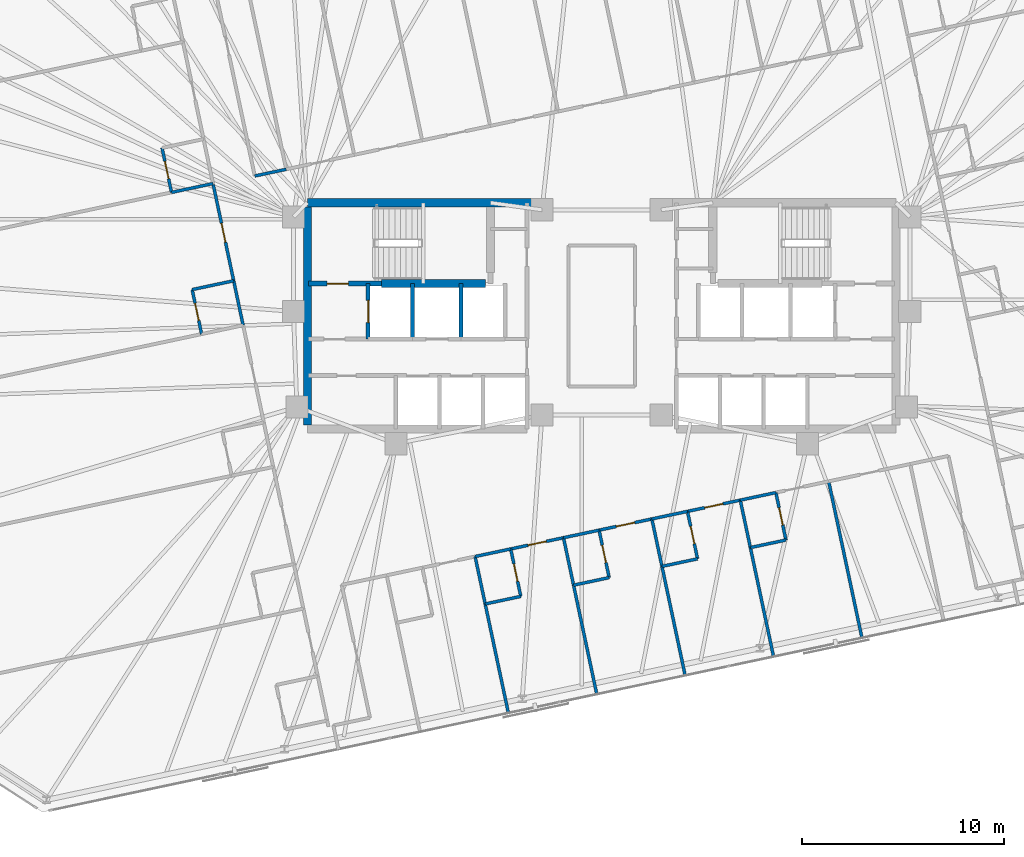
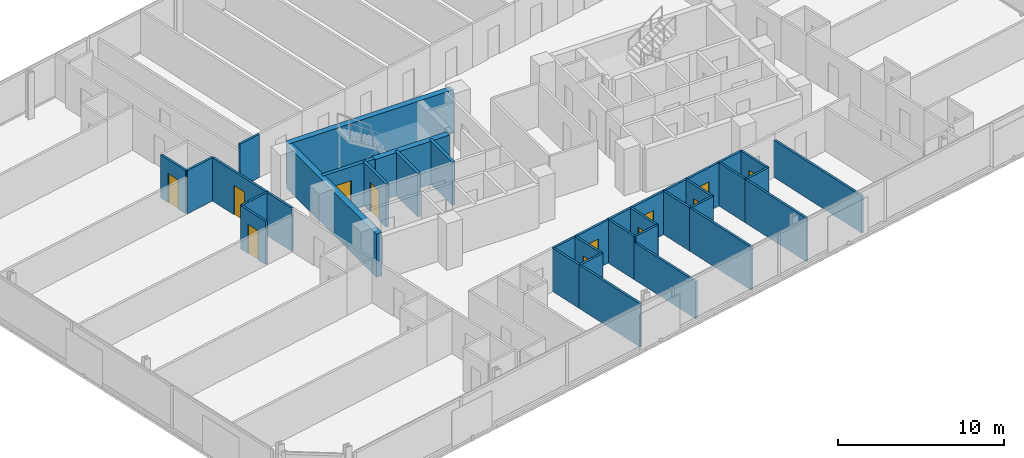
# One storey, part 15 of 21: 38 walls, 12 doors, 12 openings.
"""IFC4 building model written with IfcOpenShell, lengths in metres."""

from ifc_helpers import new_model, si_unit, direction, frame, frame_2d, origin, place, context, subcontext, project, spatial, rectangle, extrude, material, layer, layer_set, type_object, element, fill, save


model = new_model("IFC4")

# Units and contexts
model_context = context("Model", 3, precision=1e-05, world=origin(), true_north=direction((0.0, 1.0)))
body_context = subcontext(model_context, "Body", "Model", "MODEL_VIEW")
ifc_project = project(units=[si_unit("LENGTHUNIT", "METRE"), si_unit("AREAUNIT", "SQUARE_METRE"), si_unit("VOLUMEUNIT", "CUBIC_METRE"), si_unit("PLANEANGLEUNIT", "RADIAN"), si_unit("MASSUNIT", "GRAM", prefix="KILO")], contexts=[model_context])

# Site, building, storey
site_placement = place(None, origin())
site = spatial("IfcSite", under=ifc_project, at=site_placement, CompositionType="ELEMENT")
building_placement = place(site_placement, origin())
building = spatial("IfcBuilding", under=site, at=building_placement, Name="Menara Jurai Vektor", CompositionType="ELEMENT")
storey_placement = place(building_placement, frame((0.0, 0.0, 168.39990234375)))
storey = spatial("IfcBuildingStorey", under=building, at=storey_placement, Name="L43", CompositionType="ELEMENT", Elevation=168.39990234375)

# Wall, opening, door
ifc_material_1 = material(Name="Concrete C40/50", Category="concrete")
ifc_layer_1 = layer(ifc_material_1, 0.25)
ifc_layer_set_1 = layer_set([ifc_layer_1], Name="Concrete C40/50")
wall_type_1 = type_object("IfcWallType", Name="INT-WALL-CORE-250", PredefinedType="STANDARD", material=ifc_layer_set_1)
wall_1_placement = place(storey_placement, frame((-14.5, 1.60009765625, 0.0), z_axis=(0.0, 0.0, 1.0), x_axis=(1.0, 0.0, 0.0)))
wall_1 = element("IfcWall", 1, at=wall_1_placement, inside=storey, type_object=wall_type_1, Name="Interior Wall IW-250 L43", PredefinedType="STANDARD", context=body_context, shape_type="SweptSolid", body=[
    extrude(rectangle(XDim=3.60009765625, YDim=0.25, at=frame_2d((1.800048828125, 0.0))), origin(), (0.0, 0.0, 1.0), 3.175048828125),
])
opening_1_placement = place(wall_1_placement, frame((0.919921875, 0.0, 0.0)))
opening_1 = element("IfcOpeningElement", 2, at=opening_1_placement, cuts=wall_1, Name="Opening D-L43-ST1", PredefinedType="OPENING", context=body_context, shape_type="SweptSolid", body=[
    extrude(rectangle(XDim=1.050048828125, YDim=2.14990234375, at=frame_2d((0.52490234375, 1.074951171875))), frame((0.0, 0.135009765625, 0.0), z_axis=(0.0, -1.0, 0.0), x_axis=(1.0, 0.0, 0.0)), (0.0, 0.0, 1.0), 0.27001953125),
])
ifc_material_2 = material(Name="Fire-Rated Steel Door", Category="steel")
door_type_1 = type_object("IfcDoorType", Name="DR-STAIR-1050", OperationType="NOTDEFINED", PredefinedType="DOOR", material=ifc_material_2)
door_1_placement = place(opening_1_placement, origin())
door_1 = element("IfcDoor", 3, at=door_1_placement, inside=storey, type_object=door_type_1, Name="Exit Stair ST1 Door L43", OperationType="SINGLE_SWING_RIGHT", OverallHeight=2.14990234375, OverallWidth=1.050048828125, PredefinedType="DOOR", context=body_context, shape_type="SweptSolid", body=[
    extrude(rectangle(XDim=1.050048828125, YDim=2.14990234375, at=frame_2d((0.52490234375, 1.074951171875))), frame((0.0, 0.02490234375, 0.0), z_axis=(0.0, -1.0, 0.0), x_axis=(1.0, 0.0, 0.0)), (0.0, 0.0, 1.0), 0.050048828125),
])
fill(opening_1, door_1)

wall_2_placement = place(storey_placement, frame((-11.550048828125, -1.14990234375, 0.0), z_axis=(0.0, 0.0, 1.0), x_axis=(0.0, 1.0, 0.0)))
wall_2 = element("IfcWall", 4, at=wall_2_placement, inside=storey, type_object=wall_type_1, Name="Interior Wall IW-250 L43", PredefinedType="STANDARD", context=body_context, shape_type="SweptSolid", body=[
    extrude(rectangle(XDim=2.75, YDim=0.199951171875, at=frame_2d((1.375, 0.0))), origin(), (0.0, 0.0, 1.0), 3.175048828125),
])
opening_2_placement = place(wall_2_placement, frame((0.824951171875, 0.0, 0.0)))
opening_2 = element("IfcOpeningElement", 5, at=opening_2_placement, cuts=wall_2, Name="Opening LD-L43-FL1", PredefinedType="OPENING", context=body_context, shape_type="SweptSolid", body=[
    extrude(rectangle(XDim=1.10009765625, YDim=2.14990234375, at=frame_2d((0.550048828125, 1.074951171875))), frame((0.0, 0.10986328125, 0.0), z_axis=(0.0, -1.0, 0.0), x_axis=(1.0, 0.0, 0.0)), (0.0, 0.0, 1.0), 0.219970703125),
])
ifc_material_3 = material(Name="Stainless Steel Sliding Lift Landing Door", Category="steel")
door_type_2 = type_object("IfcDoorType", Name="DR-LIFT-FIRE-1100", OperationType="NOTDEFINED", PredefinedType="DOOR", material=ifc_material_3)
door_2_placement = place(opening_2_placement, origin())
door_2 = element("IfcDoor", 6, at=door_2_placement, inside=storey, type_object=door_type_2, Name="Lift Landing Door FL1 L43", OperationType="SLIDING_TO_RIGHT", OverallHeight=2.14990234375, OverallWidth=1.10009765625, PredefinedType="DOOR", context=body_context, shape_type="SweptSolid", body=[
    extrude(rectangle(XDim=1.10009765625, YDim=2.14990234375, at=frame_2d((0.550048828125, 1.074951171875))), frame((0.0, 0.02490234375, 0.0), z_axis=(0.0, -1.0, 0.0), x_axis=(1.0, 0.0, 0.0)), (0.0, 0.0, 1.0), 0.050048828125),
])
fill(opening_2, door_2)

# Walls
wall_3_placement = place(storey_placement, frame((-9.35009765625, -1.14990234375, 0.0), z_axis=(0.0, 0.0, 1.0), x_axis=(0.0, 1.0, 0.0)))
element("IfcWall", 7, at=wall_3_placement, inside=storey, type_object=wall_type_1, Name="Interior Wall IW-250 L43", PredefinedType="STANDARD", context=body_context, shape_type="SweptSolid", body=[
    extrude(rectangle(XDim=2.75, YDim=0.199951171875, at=frame_2d((1.375, 0.0))), origin(), (0.0, 0.0, 1.0), 3.175048828125),
])
ifc_material_4 = material(Name="Gypsum Fireboard Partition", Category="gypsum")
ifc_layer_2 = layer(ifc_material_4, 0.14990234375)
ifc_layer_set_2 = layer_set([ifc_layer_2], Name="Gypsum Fireboard Partition")
wall_type_2 = type_object("IfcWallType", Name="INT-WALL-CORR-150", PredefinedType="PARTITIONING", material=ifc_layer_set_2)
wall_4_placement = place(storey_placement, frame((-17.162353515625, 6.92578125, 0.0), z_axis=(0.0, 0.0, 1.0), x_axis=(0.978120566006, 0.208038838576, 0.0)))
element("IfcWall", 8, at=wall_4_placement, inside=storey, type_object=wall_type_2, Name="Interior Wall IW-150 L43", PredefinedType="PARTITIONING", context=body_context, shape_type="SweptSolid", body=[
    extrude(rectangle(XDim=1.5888671875, YDim=0.14990234375, at=frame_2d((0.79443359375, 0.0))), origin(), (0.0, 0.0, 1.0), 3.175048828125),
])

# Wall, opening, door
wall_5_placement = place(storey_placement, frame((-4.49951171875, -11.52978515625, 0.0), z_axis=(0.0, 0.0, 1.0), x_axis=(0.978139565144, 0.207949491702, 0.0)))
wall_5 = element("IfcWall", 9, at=wall_5_placement, inside=storey, type_object=wall_type_2, Name="Interior Wall IW-150 L43", PredefinedType="PARTITIONING", context=body_context, shape_type="SweptSolid", body=[
    extrude(rectangle(XDim=2.6708984375, YDim=0.14990234375, at=frame_2d((1.33544921875, 0.0))), origin(), (0.0, 0.0, 1.0), 3.175048828125),
])
opening_3_placement = place(wall_5_placement, frame((0.87548828125, 0.0, 0.0)))
opening_3 = element("IfcOpeningElement", 10, at=opening_3_placement, cuts=wall_5, Name="Opening D43-20", PredefinedType="OPENING", context=body_context, shape_type="SweptSolid", body=[
    extrude(rectangle(XDim=0.919921875, YDim=2.14990234375, at=frame_2d((0.4599609375, 1.074951171875))), frame((0.0, 0.0849609375, 0.0), z_axis=(0.0, -1.0, 0.0), x_axis=(1.0, 0.0, 0.0)), (0.0, 0.0, 1.0), 0.169921875),
])
ifc_material_5 = material(Name="Solid Core Timber Fire Door", Category="wood")
door_type_3 = type_object("IfcDoorType", Name="DR-ENTRY-950", OperationType="NOTDEFINED", PredefinedType="DOOR", material=ifc_material_5)
door_3_placement = place(opening_3_placement, origin())
door_3 = element("IfcDoor", 11, at=door_3_placement, inside=storey, type_object=door_type_3, Name="Interior Door D43-20", OperationType="SINGLE_SWING_LEFT", OverallHeight=2.14990234375, OverallWidth=0.919921875, PredefinedType="DOOR", context=body_context, shape_type="SweptSolid", body=[
    extrude(rectangle(XDim=0.919921875, YDim=2.14990234375, at=frame_2d((0.4599609375, 1.074951171875))), frame((0.0, 0.02490234375, 0.0), z_axis=(0.0, -1.0, 0.0), x_axis=(1.0, 0.0, 0.0)), (0.0, 0.0, 1.0), 0.050048828125),
])
fill(opening_3, door_3)

# Wall
wall_6_placement = place(storey_placement, frame((-6.26025390625, -11.90380859375, 0.0), z_axis=(0.0, 0.0, 1.0), x_axis=(0.978174015353, 0.207787380965, 0.0)))
element("IfcWall", 12, at=wall_6_placement, inside=storey, type_object=wall_type_2, Name="Interior Wall IW-150 L43", PredefinedType="PARTITIONING", context=body_context, shape_type="SweptSolid", body=[
    extrude(rectangle(XDim=1.800048828125, YDim=0.14990234375, at=frame_2d((0.89990234375, 0.0))), origin(), (0.0, 0.0, 1.0), 3.175048828125),
])

# Wall, opening, door
wall_7_placement = place(storey_placement, frame((-0.126220703125, -10.60009765625, 0.0), z_axis=(0.0, 0.0, 1.0), x_axis=(0.978158153975, 0.207862035524, 0.0)))
wall_7 = element("IfcWall", 13, at=wall_7_placement, inside=storey, type_object=wall_type_2, Name="Interior Wall IW-150 L43", PredefinedType="PARTITIONING", context=body_context, shape_type="SweptSolid", body=[
    extrude(rectangle(XDim=2.6708984375, YDim=0.14990234375, at=frame_2d((1.33544921875, 0.0))), origin(), (0.0, 0.0, 1.0), 3.175048828125),
])
opening_4_placement = place(wall_7_placement, frame((0.87548828125, 0.0, 0.0)))
opening_4 = element("IfcOpeningElement", 14, at=opening_4_placement, cuts=wall_7, Name="Opening D43-22", PredefinedType="OPENING", context=body_context, shape_type="SweptSolid", body=[
    extrude(rectangle(XDim=0.919921875, YDim=2.14990234375, at=frame_2d((0.4599609375, 1.074951171875))), frame((0.0, 0.0849609375, 0.0), z_axis=(0.0, -1.0, 0.0), x_axis=(1.0, 0.0, 0.0)), (0.0, 0.0, 1.0), 0.169921875),
])
door_4_placement = place(opening_4_placement, origin())
door_4 = element("IfcDoor", 15, at=door_4_placement, inside=storey, type_object=door_type_3, Name="Interior Door D43-22", OperationType="SINGLE_SWING_LEFT", OverallHeight=2.14990234375, OverallWidth=0.919921875, PredefinedType="DOOR", context=body_context, shape_type="SweptSolid", body=[
    extrude(rectangle(XDim=0.919921875, YDim=2.14990234375, at=frame_2d((0.4599609375, 1.074951171875))), frame((0.0, 0.02490234375, 0.0), z_axis=(0.0, -1.0, 0.0), x_axis=(1.0, 0.0, 0.0)), (0.0, 0.0, 1.0), 0.050048828125),
])
fill(opening_4, door_4)

# Wall
wall_8_placement = place(storey_placement, frame((-1.886962890625, -10.974365234375, 0.0), z_axis=(0.0, 0.0, 1.0), x_axis=(0.978146440129, 0.207917150959, 0.0)))
element("IfcWall", 16, at=wall_8_placement, inside=storey, type_object=wall_type_2, Name="Interior Wall IW-150 L43", PredefinedType="PARTITIONING", context=body_context, shape_type="SweptSolid", body=[
    extrude(rectangle(XDim=1.800048828125, YDim=0.14990234375, at=frame_2d((0.89990234375, 0.0))), origin(), (0.0, 0.0, 1.0), 3.175048828125),
])

# Wall, opening, door
wall_9_placement = place(storey_placement, frame((4.2470703125, -9.67041015625, 0.0), z_axis=(0.0, 0.0, 1.0), x_axis=(0.978155367406, 0.207875148141, 0.0)))
wall_9 = element("IfcWall", 17, at=wall_9_placement, inside=storey, type_object=wall_type_2, Name="Interior Wall IW-150 L43", PredefinedType="PARTITIONING", context=body_context, shape_type="SweptSolid", body=[
    extrude(rectangle(XDim=2.671875, YDim=0.14990234375, at=frame_2d((1.3359375, 0.0))), origin(), (0.0, 0.0, 1.0), 3.175048828125),
])
opening_5_placement = place(wall_9_placement, frame((0.8759765625, 0.0, 0.0)))
opening_5 = element("IfcOpeningElement", 18, at=opening_5_placement, cuts=wall_9, Name="Opening D43-24", PredefinedType="OPENING", context=body_context, shape_type="SweptSolid", body=[
    extrude(rectangle(XDim=0.919921875, YDim=2.14990234375, at=frame_2d((0.4599609375, 1.074951171875))), frame((0.0, 0.0849609375, 0.0), z_axis=(0.0, -1.0, 0.0), x_axis=(1.0, 0.0, 0.0)), (0.0, 0.0, 1.0), 0.169921875),
])
door_5_placement = place(opening_5_placement, origin())
door_5 = element("IfcDoor", 19, at=door_5_placement, inside=storey, type_object=door_type_3, Name="Interior Door D43-24", OperationType="SINGLE_SWING_LEFT", OverallHeight=2.14990234375, OverallWidth=0.919921875, PredefinedType="DOOR", context=body_context, shape_type="SweptSolid", body=[
    extrude(rectangle(XDim=0.919921875, YDim=2.14990234375, at=frame_2d((0.4599609375, 1.074951171875))), frame((0.0, 0.02490234375, 0.0), z_axis=(0.0, -1.0, 0.0), x_axis=(1.0, 0.0, 0.0)), (0.0, 0.0, 1.0), 0.050048828125),
])
fill(opening_5, door_5)

# Walls
for number, where, z_axis, x_axis, name in (
    (20, (2.486328125, -10.044921875, 0.0), (0.0, 0.0, 1.0), (0.978118849246, 0.208046909975, 0.0), "Interior Wall IW-150 L43"),
    (21, (6.860595703125, -9.114990234375, 0.0), (0.0, 0.0, 1.0), (0.978146440129, 0.207917150959, 0.0), "Interior Wall IW-150 L43"),
):
    element("IfcWall", number, at=place(storey_placement, frame(where, z_axis=z_axis, x_axis=x_axis)), inside=storey, type_object=wall_type_2, Name=name, PredefinedType="PARTITIONING", context=body_context, shape_type="SweptSolid", body=[
        extrude(rectangle(XDim=1.800048828125, YDim=0.14990234375, at=frame_2d((0.89990234375, 0.0))), origin(), (0.0, 0.0, 1.0), 3.175048828125),
    ])

# Wall, opening, door
wall_10_placement = place(storey_placement, frame((-18.20703125, 1.740478515625, 0.0), z_axis=(0.0, 0.0, 1.0), x_axis=(-0.20793874598, 0.97814184959, 0.0)))
wall_10 = element("IfcWall", 22, at=wall_10_placement, inside=storey, type_object=wall_type_2, Name="Interior Wall IW-150 L43", PredefinedType="PARTITIONING", context=body_context, shape_type="SweptSolid", body=[
    extrude(rectangle(XDim=4.85498046875, YDim=0.14990234375, at=frame_2d((2.427490234375, 0.0))), origin(), (0.0, 0.0, 1.0), 3.175048828125),
])
opening_6_placement = place(wall_10_placement, frame((1.952392578125, 0.0, 0.0)))
opening_6 = element("IfcOpeningElement", 23, at=opening_6_placement, cuts=wall_10, Name="Opening D43-36", PredefinedType="OPENING", context=body_context, shape_type="SweptSolid", body=[
    extrude(rectangle(XDim=0.949951171875, YDim=2.14990234375, at=frame_2d((0.47509765625, 1.074951171875))), frame((0.0, 0.0849609375, 0.0), z_axis=(0.0, -1.0, 0.0), x_axis=(1.0, 0.0, 0.0)), (0.0, 0.0, 1.0), 0.169921875),
])
door_6_placement = place(opening_6_placement, origin())
door_6 = element("IfcDoor", 24, at=door_6_placement, inside=storey, type_object=door_type_3, Name="Interior Door D43-36", OperationType="SINGLE_SWING_LEFT", OverallHeight=2.14990234375, OverallWidth=0.949951171875, PredefinedType="DOOR", context=body_context, shape_type="SweptSolid", body=[
    extrude(rectangle(XDim=0.949951171875, YDim=2.14990234375, at=frame_2d((0.47509765625, 1.074951171875))), frame((0.0, 0.02490234375, 0.0), z_axis=(0.0, -1.0, 0.0), x_axis=(1.0, 0.0, 0.0)), (0.0, 0.0, 1.0), 0.050048828125),
])
fill(opening_6, door_6)

# Walls
wall_11_placement = place(storey_placement, frame((-17.7392578125, -0.46044921875, 0.0), z_axis=(0.0, 0.0, 1.0), x_axis=(-0.207891197838, 0.978151956427, 0.0)))
element("IfcWall", 25, at=wall_11_placement, inside=storey, type_object=wall_type_2, Name="Interior Wall IW-150 L43", PredefinedType="PARTITIONING", context=body_context, shape_type="SweptSolid", body=[
    extrude(rectangle(XDim=2.25, YDim=0.14990234375, at=frame_2d((1.125, 0.0))), origin(), (0.0, 0.0, 1.0), 3.175048828125),
])
wall_12_placement = place(storey_placement, frame((-4.613525390625, -19.65087890625, 0.0), z_axis=(0.0, 0.0, 1.0), x_axis=(-0.20791588359, 0.978146709523, 0.0)))
element("IfcWall", 26, at=wall_12_placement, inside=storey, type_object=wall_type_2, Name="Interior Wall IW-150 L43", PredefinedType="PARTITIONING", context=body_context, shape_type="SweptSolid", body=[
    extrude(rectangle(XDim=5.52001953125, YDim=0.14990234375, at=frame_2d((2.760009765625, 0.0))), origin(), (0.0, 0.0, 1.0), 3.175048828125),
])
wall_13_placement = place(storey_placement, frame((-5.76123046875, -14.25146484375, 0.0), z_axis=(0.0, 0.0, 1.0), x_axis=(-0.207917150959, 0.978146440129, 0.0)))
element("IfcWall", 27, at=wall_13_placement, inside=storey, type_object=wall_type_2, Name="Interior Wall IW-150 L43", PredefinedType="PARTITIONING", context=body_context, shape_type="SweptSolid", body=[
    extrude(rectangle(XDim=2.400146484375, YDim=0.14990234375, at=frame_2d((1.2001953125, 0.0))), origin(), (0.0, 0.0, 1.0), 3.175048828125),
])
wall_14_placement = place(storey_placement, frame((-5.76123046875, -14.25146484375, 0.0), z_axis=(0.0, 0.0, 1.0), x_axis=(0.978146440129, 0.207917150959, 0.0)))
element("IfcWall", 28, at=wall_14_placement, inside=storey, type_object=wall_type_2, Name="Interior Wall IW-150 L43", PredefinedType="PARTITIONING", context=body_context, shape_type="SweptSolid", body=[
    extrude(rectangle(XDim=1.800048828125, YDim=0.14990234375, at=frame_2d((0.89990234375, 0.0))), origin(), (0.0, 0.0, 1.0), 3.175048828125),
])

# Wall, opening, door
wall_15_placement = place(storey_placement, frame((-4.00048828125, -13.877197265625, 0.0), z_axis=(0.0, 0.0, 1.0), x_axis=(-0.207937840262, 0.978142042133, 0.0)))
wall_15 = element("IfcWall", 29, at=wall_15_placement, inside=storey, type_object=wall_type_2, Name="Interior Wall IW-150 L43", PredefinedType="PARTITIONING", context=body_context, shape_type="SweptSolid", body=[
    extrude(rectangle(XDim=2.39990234375, YDim=0.14990234375, at=frame_2d((1.199951171875, 0.0))), origin(), (0.0, 0.0, 1.0), 3.175048828125),
])
opening_7_placement = place(wall_15_placement, frame((0.760009765625, 0.0, 0.0)))
opening_7 = element("IfcOpeningElement", 30, at=opening_7_placement, cuts=wall_15, Name="Opening D43-21", PredefinedType="OPENING", context=body_context, shape_type="SweptSolid", body=[
    extrude(rectangle(XDim=0.8798828125, YDim=2.14990234375, at=frame_2d((0.43994140625, 1.074951171875))), frame((0.0, 0.0849609375, 0.0), z_axis=(0.0, -1.0, 0.0), x_axis=(1.0, 0.0, 0.0)), (0.0, 0.0, 1.0), 0.169921875),
])
ifc_material_6 = material(Name="Moisture-Resistant Timber Door", Category="wood")
door_type_4 = type_object("IfcDoorType", Name="DR-BATH-880", OperationType="NOTDEFINED", PredefinedType="DOOR", material=ifc_material_6)
door_7_placement = place(opening_7_placement, origin())
door_7 = element("IfcDoor", 31, at=door_7_placement, inside=storey, type_object=door_type_4, Name="Interior Door D43-21", OperationType="SINGLE_SWING_RIGHT", OverallHeight=2.14990234375, OverallWidth=0.8798828125, PredefinedType="DOOR", context=body_context, shape_type="SweptSolid", body=[
    extrude(rectangle(XDim=0.8798828125, YDim=2.14990234375, at=frame_2d((0.43994140625, 1.074951171875))), frame((0.0, 0.02490234375, 0.0), z_axis=(0.0, -1.0, 0.0), x_axis=(1.0, 0.0, 0.0)), (0.0, 0.0, 1.0), 0.050048828125),
])
fill(opening_7, door_7)

# Walls
wall_16_placement = place(storey_placement, frame((-1.387939453125, -13.322021484375, 0.0), z_axis=(0.0, 0.0, 1.0), x_axis=(-0.207917150959, 0.978146440129, 0.0)))
element("IfcWall", 32, at=wall_16_placement, inside=storey, type_object=wall_type_2, Name="Interior Wall IW-150 L43", PredefinedType="PARTITIONING", context=body_context, shape_type="SweptSolid", body=[
    extrude(rectangle(XDim=2.400146484375, YDim=0.14990234375, at=frame_2d((1.2001953125, 0.0))), origin(), (0.0, 0.0, 1.0), 3.175048828125),
])
wall_17_placement = place(storey_placement, frame((-1.387939453125, -13.322021484375, 0.0), z_axis=(0.0, 0.0, 1.0), x_axis=(0.978118849246, 0.208046909975, 0.0)))
element("IfcWall", 33, at=wall_17_placement, inside=storey, type_object=wall_type_2, Name="Interior Wall IW-150 L43", PredefinedType="PARTITIONING", context=body_context, shape_type="SweptSolid", body=[
    extrude(rectangle(XDim=1.800048828125, YDim=0.14990234375, at=frame_2d((0.89990234375, 0.0))), origin(), (0.0, 0.0, 1.0), 3.175048828125),
])

# Wall, opening, door
wall_18_placement = place(storey_placement, frame((0.372802734375, -12.947509765625, 0.0), z_axis=(0.0, 0.0, 1.0), x_axis=(-0.207937840262, 0.978142042133, 0.0)))
wall_18 = element("IfcWall", 34, at=wall_18_placement, inside=storey, type_object=wall_type_2, Name="Interior Wall IW-150 L43", PredefinedType="PARTITIONING", context=body_context, shape_type="SweptSolid", body=[
    extrude(rectangle(XDim=2.39990234375, YDim=0.14990234375, at=frame_2d((1.199951171875, 0.0))), origin(), (0.0, 0.0, 1.0), 3.175048828125),
])
opening_8_placement = place(wall_18_placement, frame((0.760009765625, 0.0, 0.0)))
opening_8 = element("IfcOpeningElement", 35, at=opening_8_placement, cuts=wall_18, Name="Opening D43-23", PredefinedType="OPENING", context=body_context, shape_type="SweptSolid", body=[
    extrude(rectangle(XDim=0.8798828125, YDim=2.14990234375, at=frame_2d((0.43994140625, 1.074951171875))), frame((0.0, 0.0849609375, 0.0), z_axis=(0.0, -1.0, 0.0), x_axis=(1.0, 0.0, 0.0)), (0.0, 0.0, 1.0), 0.169921875),
])
door_8_placement = place(opening_8_placement, origin())
door_8 = element("IfcDoor", 36, at=door_8_placement, inside=storey, type_object=door_type_4, Name="Interior Door D43-23", OperationType="SINGLE_SWING_RIGHT", OverallHeight=2.14990234375, OverallWidth=0.8798828125, PredefinedType="DOOR", context=body_context, shape_type="SweptSolid", body=[
    extrude(rectangle(XDim=0.8798828125, YDim=2.14990234375, at=frame_2d((0.43994140625, 1.074951171875))), frame((0.0, 0.02490234375, 0.0), z_axis=(0.0, -1.0, 0.0), x_axis=(1.0, 0.0, 0.0)), (0.0, 0.0, 1.0), 0.050048828125),
])
fill(opening_8, door_8)

# Walls
wall_19_placement = place(storey_placement, frame((4.133056640625, -17.791748046875, 0.0), z_axis=(0.0, 0.0, 1.0), x_axis=(-0.20791588359, 0.978146709523, 0.0)))
element("IfcWall", 37, at=wall_19_placement, inside=storey, type_object=wall_type_2, Name="Interior Wall IW-150 L43", PredefinedType="PARTITIONING", context=body_context, shape_type="SweptSolid", body=[
    extrude(rectangle(XDim=5.52001953125, YDim=0.14990234375, at=frame_2d((2.760009765625, 0.0))), origin(), (0.0, 0.0, 1.0), 3.175048828125),
])
wall_20_placement = place(storey_placement, frame((2.9853515625, -12.392333984375, 0.0), z_axis=(0.0, 0.0, 1.0), x_axis=(-0.207937840262, 0.978142042133, 0.0)))
element("IfcWall", 38, at=wall_20_placement, inside=storey, type_object=wall_type_2, Name="Interior Wall IW-150 L43", PredefinedType="PARTITIONING", context=body_context, shape_type="SweptSolid", body=[
    extrude(rectangle(XDim=2.39990234375, YDim=0.14990234375, at=frame_2d((1.199951171875, 0.0))), origin(), (0.0, 0.0, 1.0), 3.175048828125),
])
wall_21_placement = place(storey_placement, frame((2.9853515625, -12.392333984375, 0.0), z_axis=(0.0, 0.0, 1.0), x_axis=(0.978146440129, 0.207917150959, 0.0)))
element("IfcWall", 39, at=wall_21_placement, inside=storey, type_object=wall_type_2, Name="Interior Wall IW-150 L43", PredefinedType="PARTITIONING", context=body_context, shape_type="SweptSolid", body=[
    extrude(rectangle(XDim=1.800048828125, YDim=0.14990234375, at=frame_2d((0.89990234375, 0.0))), origin(), (0.0, 0.0, 1.0), 3.175048828125),
])

# Wall, opening, door
wall_22_placement = place(storey_placement, frame((4.74609375, -12.01806640625, 0.0), z_axis=(0.0, 0.0, 1.0), x_axis=(-0.207917150959, 0.978146440129, 0.0)))
wall_22 = element("IfcWall", 40, at=wall_22_placement, inside=storey, type_object=wall_type_2, Name="Interior Wall IW-150 L43", PredefinedType="PARTITIONING", context=body_context, shape_type="SweptSolid", body=[
    extrude(rectangle(XDim=2.400146484375, YDim=0.14990234375, at=frame_2d((1.2001953125, 0.0))), origin(), (0.0, 0.0, 1.0), 3.175048828125),
])
opening_9_placement = place(wall_22_placement, frame((0.760009765625, 0.0, 0.0)))
opening_9 = element("IfcOpeningElement", 41, at=opening_9_placement, cuts=wall_22, Name="Opening D43-25", PredefinedType="OPENING", context=body_context, shape_type="SweptSolid", body=[
    extrude(rectangle(XDim=0.8798828125, YDim=2.14990234375, at=frame_2d((0.43994140625, 1.074951171875))), frame((0.0, 0.0849609375, 0.0), z_axis=(0.0, -1.0, 0.0), x_axis=(1.0, 0.0, 0.0)), (0.0, 0.0, 1.0), 0.169921875),
])
door_9_placement = place(opening_9_placement, origin())
door_9 = element("IfcDoor", 42, at=door_9_placement, inside=storey, type_object=door_type_4, Name="Interior Door D43-25", OperationType="SINGLE_SWING_RIGHT", OverallHeight=2.14990234375, OverallWidth=0.8798828125, PredefinedType="DOOR", context=body_context, shape_type="SweptSolid", body=[
    extrude(rectangle(XDim=0.8798828125, YDim=2.14990234375, at=frame_2d((0.43994140625, 1.074951171875))), frame((0.0, 0.02490234375, 0.0), z_axis=(0.0, -1.0, 0.0), x_axis=(1.0, 0.0, 0.0)), (0.0, 0.0, 1.0), 0.050048828125),
])
fill(opening_9, door_9)

# Walls
wall_23_placement = place(storey_placement, frame((8.50732421875, -16.86181640625, 0.0), z_axis=(0.0, 0.0, 1.0), x_axis=(-0.20791588359, 0.978146709523, 0.0)))
element("IfcWall", 43, at=wall_23_placement, inside=storey, type_object=wall_type_2, Name="Interior Wall IW-150 L43", PredefinedType="PARTITIONING", context=body_context, shape_type="SweptSolid", body=[
    extrude(rectangle(XDim=5.52001953125, YDim=0.14990234375, at=frame_2d((2.760009765625, 0.0))), origin(), (0.0, 0.0, 1.0), 3.175048828125),
])
wall_24_placement = place(storey_placement, frame((7.359619140625, -11.46240234375, 0.0), z_axis=(0.0, 0.0, 1.0), x_axis=(-0.207937840262, 0.978142042133, 0.0)))
element("IfcWall", 44, at=wall_24_placement, inside=storey, type_object=wall_type_2, Name="Interior Wall IW-150 L43", PredefinedType="PARTITIONING", context=body_context, shape_type="SweptSolid", body=[
    extrude(rectangle(XDim=2.39990234375, YDim=0.14990234375, at=frame_2d((1.199951171875, 0.0))), origin(), (0.0, 0.0, 1.0), 3.175048828125),
])
wall_25_placement = place(storey_placement, frame((7.359619140625, -11.46240234375, 0.0), z_axis=(0.0, 0.0, 1.0), x_axis=(0.978174015353, 0.207787380965, 0.0)))
element("IfcWall", 45, at=wall_25_placement, inside=storey, type_object=wall_type_2, Name="Interior Wall IW-150 L43", PredefinedType="PARTITIONING", context=body_context, shape_type="SweptSolid", body=[
    extrude(rectangle(XDim=1.800048828125, YDim=0.14990234375, at=frame_2d((0.89990234375, 0.0))), origin(), (0.0, 0.0, 1.0), 3.175048828125),
])

# Wall, opening, door
wall_26_placement = place(storey_placement, frame((9.120361328125, -11.08837890625, 0.0), z_axis=(0.0, 0.0, 1.0), x_axis=(-0.207917150959, 0.978146440129, 0.0)))
wall_26 = element("IfcWall", 46, at=wall_26_placement, inside=storey, type_object=wall_type_2, Name="Interior Wall IW-150 L43", PredefinedType="PARTITIONING", context=body_context, shape_type="SweptSolid", body=[
    extrude(rectangle(XDim=2.400146484375, YDim=0.14990234375, at=frame_2d((1.2001953125, 0.0))), origin(), (0.0, 0.0, 1.0), 3.175048828125),
])
opening_10_placement = place(wall_26_placement, frame((0.760009765625, 0.0, 0.0)))
opening_10 = element("IfcOpeningElement", 47, at=opening_10_placement, cuts=wall_26, Name="Opening D43-27", PredefinedType="OPENING", context=body_context, shape_type="SweptSolid", body=[
    extrude(rectangle(XDim=0.8798828125, YDim=2.14990234375, at=frame_2d((0.43994140625, 1.074951171875))), frame((0.0, 0.0849609375, 0.0), z_axis=(0.0, -1.0, 0.0), x_axis=(1.0, 0.0, 0.0)), (0.0, 0.0, 1.0), 0.169921875),
])
door_10_placement = place(opening_10_placement, origin())
door_10 = element("IfcDoor", 48, at=door_10_placement, inside=storey, type_object=door_type_4, Name="Interior Door D43-27", OperationType="SINGLE_SWING_RIGHT", OverallHeight=2.14990234375, OverallWidth=0.8798828125, PredefinedType="DOOR", context=body_context, shape_type="SweptSolid", body=[
    extrude(rectangle(XDim=0.8798828125, YDim=2.14990234375, at=frame_2d((0.43994140625, 1.074951171875))), frame((0.0, 0.02490234375, 0.0), z_axis=(0.0, -1.0, 0.0), x_axis=(1.0, 0.0, 0.0)), (0.0, 0.0, 1.0), 0.050048828125),
])
fill(opening_10, door_10)

wall_27_placement = place(storey_placement, frame((-19.79345703125, -0.897216796875, 0.0), z_axis=(0.0, 0.0, 1.0), x_axis=(-0.207891197838, 0.978151956427, 0.0)))
wall_27 = element("IfcWall", 49, at=wall_27_placement, inside=storey, type_object=wall_type_2, Name="Interior Wall IW-150 L43", PredefinedType="PARTITIONING", context=body_context, shape_type="SweptSolid", body=[
    extrude(rectangle(XDim=2.25, YDim=0.14990234375, at=frame_2d((1.125, 0.0))), origin(), (0.0, 0.0, 1.0), 3.175048828125),
])
opening_11_placement = place(wall_27_placement, frame((0.68505859375, 0.0, 0.0)))
opening_11 = element("IfcOpeningElement", 50, at=opening_11_placement, cuts=wall_27, Name="Opening D43-37", PredefinedType="OPENING", context=body_context, shape_type="SweptSolid", body=[
    extrude(rectangle(XDim=0.8798828125, YDim=2.14990234375, at=frame_2d((0.43994140625, 1.074951171875))), frame((0.0, 0.0849609375, 0.0), z_axis=(0.0, -1.0, 0.0), x_axis=(1.0, 0.0, 0.0)), (0.0, 0.0, 1.0), 0.169921875),
])
door_11_placement = place(opening_11_placement, origin())
door_11 = element("IfcDoor", 51, at=door_11_placement, inside=storey, type_object=door_type_4, Name="Interior Door D43-37", OperationType="SINGLE_SWING_RIGHT", OverallHeight=2.14990234375, OverallWidth=0.8798828125, PredefinedType="DOOR", context=body_context, shape_type="SweptSolid", body=[
    extrude(rectangle(XDim=0.8798828125, YDim=2.14990234375, at=frame_2d((0.43994140625, 1.074951171875))), frame((0.0, 0.02490234375, 0.0), z_axis=(0.0, -1.0, 0.0), x_axis=(1.0, 0.0, 0.0)), (0.0, 0.0, 1.0), 0.050048828125),
])
fill(opening_11, door_11)

# Walls
wall_28_placement = place(storey_placement, frame((-20.26123046875, 1.3037109375, 0.0), z_axis=(0.0, 0.0, 1.0), x_axis=(0.978134617382, 0.207972763311, 0.0)))
element("IfcWall", 52, at=wall_28_placement, inside=storey, type_object=wall_type_2, Name="Interior Wall IW-150 L43", PredefinedType="PARTITIONING", context=body_context, shape_type="SweptSolid", body=[
    extrude(rectangle(XDim=2.10009765625, YDim=0.14990234375, at=frame_2d((1.050048828125, 0.0))), origin(), (0.0, 0.0, 1.0), 3.175048828125),
])
wall_29_placement = place(storey_placement, frame((-21.283447265625, 6.11328125, 0.0), z_axis=(0.0, 0.0, 1.0), x_axis=(0.978153236239, 0.207885176084, 0.0)))
element("IfcWall", 53, at=wall_29_placement, inside=storey, type_object=wall_type_2, Name="Interior Wall IW-150 L43", PredefinedType="PARTITIONING", context=body_context, shape_type="SweptSolid", body=[
    extrude(rectangle(XDim=2.099853515625, YDim=0.14990234375, at=frame_2d((1.0498046875, 0.0))), origin(), (0.0, 0.0, 1.0), 3.175048828125),
])

# Wall, opening, door
wall_30_placement = place(storey_placement, frame((-21.283447265625, 6.11328125, 0.0), z_axis=(0.0, 0.0, 1.0), x_axis=(-0.207891197838, 0.978151956427, 0.0)))
wall_30 = element("IfcWall", 54, at=wall_30_placement, inside=storey, type_object=wall_type_2, Name="Interior Wall IW-150 L43", PredefinedType="PARTITIONING", context=body_context, shape_type="SweptSolid", body=[
    extrude(rectangle(XDim=2.25, YDim=0.14990234375, at=frame_2d((1.125, 0.0))), origin(), (0.0, 0.0, 1.0), 3.175048828125),
])
opening_12_placement = place(wall_30_placement, frame((0.68505859375, 0.0, 0.0)))
opening_12 = element("IfcOpeningElement", 55, at=opening_12_placement, cuts=wall_30, Name="Opening D43-39", PredefinedType="OPENING", context=body_context, shape_type="SweptSolid", body=[
    extrude(rectangle(XDim=0.8798828125, YDim=2.14990234375, at=frame_2d((0.43994140625, 1.074951171875))), frame((0.0, 0.0849609375, 0.0), z_axis=(0.0, -1.0, 0.0), x_axis=(1.0, 0.0, 0.0)), (0.0, 0.0, 1.0), 0.169921875),
])
door_12_placement = place(opening_12_placement, origin())
door_12 = element("IfcDoor", 56, at=door_12_placement, inside=storey, type_object=door_type_4, Name="Interior Door D43-39", OperationType="SINGLE_SWING_RIGHT", OverallHeight=2.14990234375, OverallWidth=0.8798828125, PredefinedType="DOOR", context=body_context, shape_type="SweptSolid", body=[
    extrude(rectangle(XDim=0.8798828125, YDim=2.14990234375, at=frame_2d((0.43994140625, 1.074951171875))), frame((0.0, 0.02490234375, 0.0), z_axis=(0.0, -1.0, 0.0), x_axis=(1.0, 0.0, 0.0)), (0.0, 0.0, 1.0), 0.050048828125),
])
fill(opening_12, door_12)

# Walls
ifc_layer_3 = layer(ifc_material_4, 0.14990234375)
ifc_layer_set_3 = layer_set([ifc_layer_3], Name="Gypsum Fireboard Partition")
wall_type_3 = type_object("IfcWallType", Name="INT-WALL-CORR-150-H1", PredefinedType="PARTITIONING", material=ifc_layer_set_3)
wall_31_placement = place(storey_placement, frame((-0.240234375, -18.72119140625, 0.0), z_axis=(0.0, 0.0, 1.0), x_axis=(-0.20792487872, 0.978144797466, 0.0)))
element("IfcWall", 57, at=wall_31_placement, inside=storey, type_object=wall_type_3, Name="Interior Wall IW-150 L43", PredefinedType="PARTITIONING", context=body_context, shape_type="SweptSolid", body=[
    extrude(rectangle(XDim=5.519775390625, YDim=0.14990234375, at=frame_2d((2.759765625, 0.0))), origin(), (0.0, 0.0, 1.0), 2.72509765625),
])
wall_32_placement = place(storey_placement, frame((12.880615234375, -15.932373046875, 0.0), z_axis=(0.0, 0.0, 1.0), x_axis=(-0.207916267651, 0.978146627887, 0.0)))
element("IfcWall", 58, at=wall_32_placement, inside=storey, type_object=wall_type_3, Name="Interior Wall IW-150 L43", PredefinedType="PARTITIONING", context=body_context, shape_type="SweptSolid", body=[
    extrude(rectangle(XDim=7.920166015625, YDim=0.14990234375, at=frame_2d((3.9599609375, 0.0))), origin(), (0.0, 0.0, 1.0), 2.72509765625),
])
ifc_layer_4 = layer(ifc_material_1, 0.199951171875)
ifc_layer_set_4 = layer_set([ifc_layer_4], Name="Concrete C40/50")
wall_type_4 = type_object("IfcWallType", Name="INT-WALL-SHAFT-200", PredefinedType="STANDARD", material=ifc_layer_set_4)
wall_33_placement = place(storey_placement, frame((-6.949951171875, -1.14990234375, 0.0), z_axis=(0.0, 0.0, 1.0), x_axis=(0.0, 1.0, 0.0)))
element("IfcWall", 59, at=wall_33_placement, inside=storey, type_object=wall_type_4, Name="Interior Wall IW-200 L43", PredefinedType="STANDARD", context=body_context, shape_type="SweptSolid", body=[
    extrude(rectangle(XDim=2.75, YDim=0.199951171875, at=frame_2d((1.375, 0.0))), origin(), (0.0, 0.0, 1.0), 3.175048828125),
])
ifc_material_7 = material(Name="Concrete C50/60", Category="concrete")
ifc_layer_5 = layer(ifc_material_7, 0.39990234375)
ifc_layer_set_5 = layer_set([ifc_layer_5], Name="Concrete C50/60")
wall_type_5 = type_object("IfcWallType", Name="STR-WALL-CORE400", PredefinedType="SHEAR", material=ifc_layer_set_5)
wall_34_placement = place(storey_placement, frame((-14.56005859375, 5.60009765625, 0.0), z_axis=(0.0, 0.0, 1.0), x_axis=(1.0, 0.0, 0.0)))
element("IfcWall", 60, at=wall_34_placement, inside=storey, type_object=wall_type_5, Name="Core Shear Wall CW-W-N L43", PredefinedType="SHEAR", context=body_context, shape_type="SweptSolid", body=[
    extrude(rectangle(XDim=11.41015625, YDim=0.39990234375, at=frame_2d((5.705078125, 0.0))), origin(), (0.0, 0.0, 1.0), 3.175048828125),
])
wall_35_placement = place(storey_placement, frame((-14.56005859375, -5.39990234375, 0.0), z_axis=(0.0, 0.0, 1.0), x_axis=(0.0, 1.0, 0.0)))
element("IfcWall", 61, at=wall_35_placement, inside=storey, type_object=wall_type_5, Name="Core Shear Wall CW-W-W L43", PredefinedType="SHEAR", context=body_context, shape_type="SweptSolid", body=[
    extrude(rectangle(XDim=10.7998046875, YDim=0.39990234375, at=frame_2d((5.39990234375, 0.0))), origin(), (0.0, 0.0, 1.0), 3.175048828125),
])
wall_36_placement = place(storey_placement, frame((-10.89990234375, 1.60009765625, 0.0), z_axis=(0.0, 0.0, 1.0), x_axis=(1.0, 0.0, 0.0)))
element("IfcWall", 62, at=wall_36_placement, inside=storey, type_object=wall_type_5, Name="Core Shear Wall CW-W-STS L43", PredefinedType="SHEAR", context=body_context, shape_type="SweptSolid", body=[
    extrude(rectangle(XDim=5.14990234375, YDim=0.39990234375, at=frame_2d((2.574951171875, 0.0))), origin(), (0.0, 0.0, 1.0), 3.175048828125),
])

save(model, "model.ifc")
